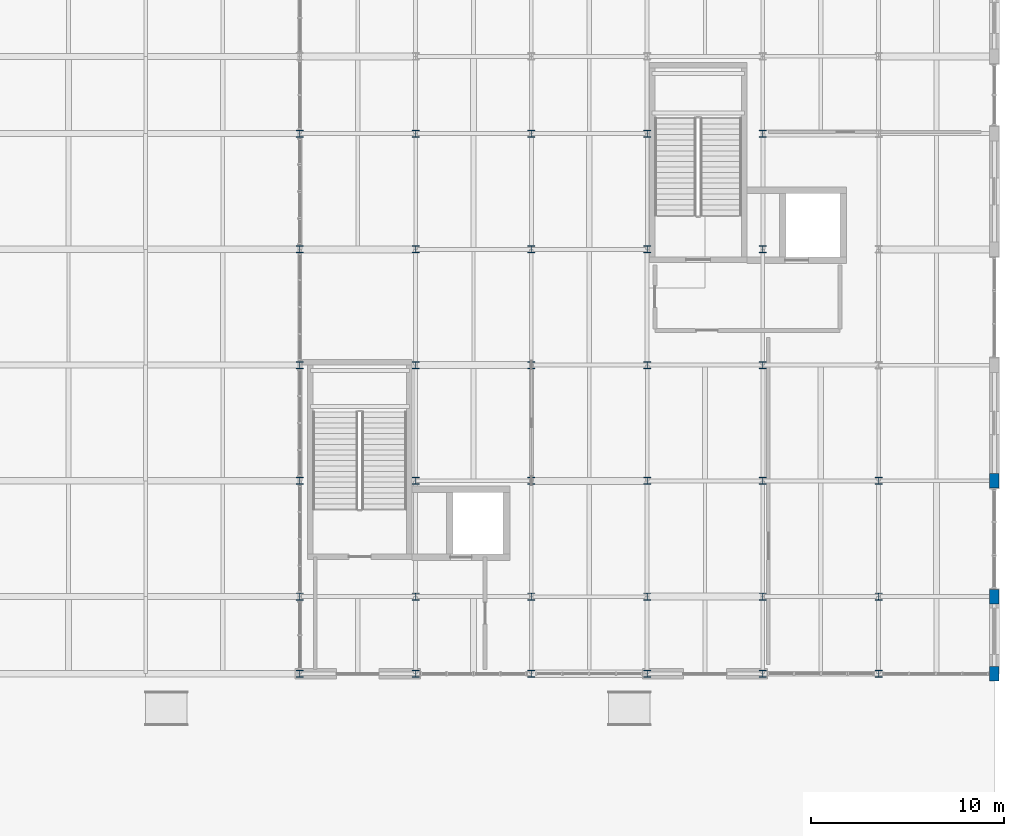
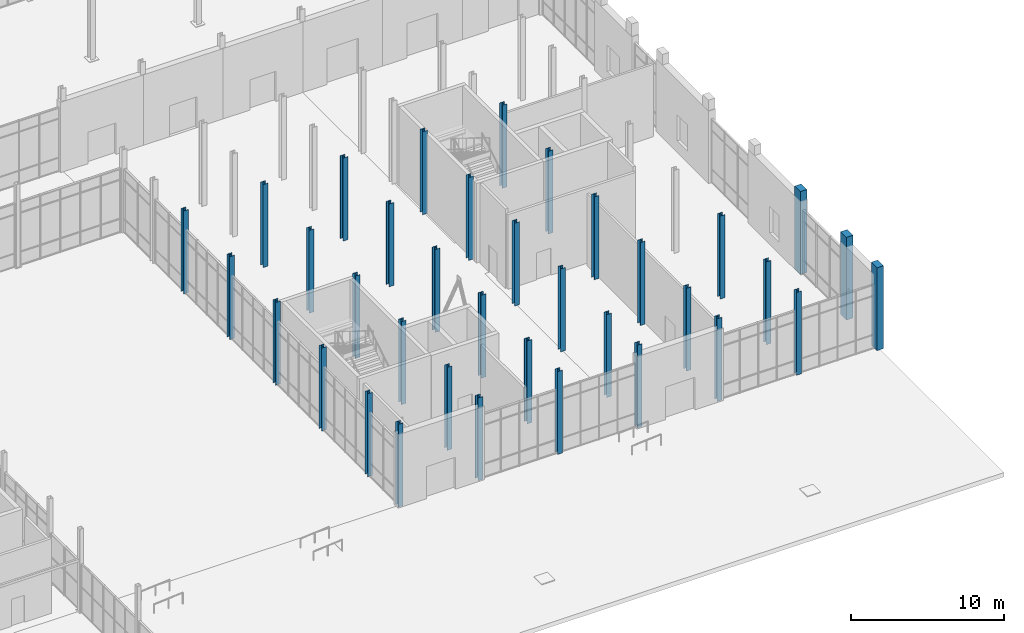
# One storey, part 17 of 140: 36 columns.
"""IFC4 building model written with IfcOpenShell, lengths in metres."""

from ifc_helpers import new_model, si_unit, direction, frame, origin, origin_2d, place, context, subcontext, project, spatial, rectangle, i_section, extrude, material, material_profile, profile_set, type_object, element, save


model = new_model("IFC4")

# Units and contexts
model_context = context("Model", 3, precision=1e-05, world=origin(), true_north=direction((0.0, 1.0)))
body_context = subcontext(model_context, "Body", "Model", "MODEL_VIEW")
ifc_project = project(units=[si_unit("LENGTHUNIT", "METRE"), si_unit("AREAUNIT", "SQUARE_METRE"), si_unit("VOLUMEUNIT", "CUBIC_METRE"), si_unit("PLANEANGLEUNIT", "RADIAN"), si_unit("MASSUNIT", "GRAM", prefix="KILO")], contexts=[model_context])

# Site, building, storey
site_placement = place(None, origin())
site = spatial("IfcSite", under=ifc_project, at=site_placement, CompositionType="ELEMENT")
building_placement = place(site_placement, origin())
building = spatial("IfcBuilding", under=site, at=building_placement, Name="Verrall Gate Interchange", CompositionType="ELEMENT")
storey_placement = place(building_placement, origin())
storey = spatial("IfcBuildingStorey", under=building, at=storey_placement, Name="L01", CompositionType="ELEMENT", Elevation=0.0)

# Columns
ifc_material_1 = material(Name="Concrete CSA A23.1 40 MPa (Class C-1)", Category="concrete")
ifc_material_profile_1 = material_profile(ifc_material_1, rectangle(XDim=0.5, YDim=0.75, at=origin_2d()), Name="RC500x750")
ifc_profile_set_1 = profile_set([ifc_material_profile_1], Name="Concrete CSA A23.1 40 MPa (Class C-1)")
column_type_1 = type_object("IfcColumnType", Name="C-05 Pilaster RC500x750", PredefinedType="PILASTER", material=ifc_profile_set_1)
for number, where, z_axis, x_axis, name in (
    (1, (168.0, 12.0, 0.0), (0.0, 0.0, 1.0), (1.0, 0.0, 0.0), "L01 Column COL-L01-1470 (C-05)"),
    (2, (168.0, 16.0, 0.0), (0.0, 0.0, 1.0), (1.0, 0.0, 0.0), "L01 Column COL-L01-1475 (C-05)"),
    (3, (168.0, 22.0, 0.0), (0.0, 0.0, 1.0), (1.0, 0.0, 0.0), "L01 Column COL-L01-1480 (C-05)"),
):
    element("IfcColumn", number, at=place(storey_placement, frame(where, z_axis=z_axis, x_axis=x_axis)), inside=storey, type_object=column_type_1, Name=name, PredefinedType="PILASTER", context=body_context, shape_type="SweptSolid", body=[
        extrude(rectangle(XDim=0.5, YDim=0.75, at=origin_2d()), origin(), (0.0, 0.0, 1.0), 6.60009765625),
    ])
ifc_material_2 = material(Name="Structural Steel CSA G40.21 350W", Category="steel")
ifc_material_profile_2 = material_profile(ifc_material_2, i_section(OverallWidth=0.368896484375, OverallDepth=0.35595703125, WebThickness=0.01123046875, FlangeThickness=0.01806640625, FilletRadius=0.014892578125, at=origin_2d()), Name="W360x134")
ifc_profile_set_2 = profile_set([ifc_material_profile_2], Name="Structural Steel CSA G40.21 350W")
column_type_2 = type_object("IfcColumnType", Name="C-08 Column W360x134", PredefinedType="COLUMN", material=ifc_profile_set_2)
for number, where, z_axis, x_axis, name in (
    (4, (132.0, 12.0, 0.0), (0.0, 0.0, 1.0), (1.0, 0.0, 0.0), "L01 Column COL-L01-1212 (C-08)"),
    (5, (132.0, 16.0, 0.0), (0.0, 0.0, 1.0), (1.0, 0.0, 0.0), "L01 Column COL-L01-1217 (C-08)"),
    (6, (132.0, 22.0, 0.0), (0.0, 0.0, 1.0), (1.0, 0.0, 0.0), "L01 Column COL-L01-1222 (C-08)"),
    (7, (132.0, 28.0, 0.0), (0.0, 0.0, 1.0), (1.0, 0.0, 0.0), "L01 Column COL-L01-1227 (C-08)"),
    (8, (132.0, 34.0, 0.0), (0.0, 0.0, 1.0), (1.0, 0.0, 0.0), "L01 Column COL-L01-1232 (C-08)"),
    (9, (132.0, 40.0, 0.0), (0.0, 0.0, 1.0), (1.0, 0.0, 0.0), "L01 Column COL-L01-1237 (C-08)"),
    (10, (138.0, 12.0, 0.0), (0.0, 0.0, 1.0), (1.0, 0.0, 0.0), "L01 Column COL-L01-1255 (C-08)"),
    (11, (138.0, 16.0, 0.0), (0.0, 0.0, 1.0), (1.0, 0.0, 0.0), "L01 Column COL-L01-1260 (C-08)"),
    (12, (138.0, 22.0, 0.0), (0.0, 0.0, 1.0), (1.0, 0.0, 0.0), "L01 Column COL-L01-1265 (C-08)"),
    (13, (138.0, 28.0, 0.0), (0.0, 0.0, 1.0), (1.0, 0.0, 0.0), "L01 Column COL-L01-1270 (C-08)"),
    (14, (138.0, 34.0, 0.0), (0.0, 0.0, 1.0), (1.0, 0.0, 0.0), "L01 Column COL-L01-1275 (C-08)"),
    (15, (138.0, 40.0, 0.0), (0.0, 0.0, 1.0), (1.0, 0.0, 0.0), "L01 Column COL-L01-1280 (C-08)"),
    (16, (144.0, 12.0, 0.0), (0.0, 0.0, 1.0), (1.0, 0.0, 0.0), "L01 Column COL-L01-1298 (C-08)"),
    (17, (144.0, 16.0, 0.0), (0.0, 0.0, 1.0), (1.0, 0.0, 0.0), "L01 Column COL-L01-1303 (C-08)"),
    (18, (144.0, 22.0, 0.0), (0.0, 0.0, 1.0), (1.0, 0.0, 0.0), "L01 Column COL-L01-1308 (C-08)"),
    (19, (144.0, 28.0, 0.0), (0.0, 0.0, 1.0), (1.0, 0.0, 0.0), "L01 Column COL-L01-1313 (C-08)"),
    (20, (144.0, 34.0, 0.0), (0.0, 0.0, 1.0), (1.0, 0.0, 0.0), "L01 Column COL-L01-1318 (C-08)"),
    (21, (144.0, 40.0, 0.0), (0.0, 0.0, 1.0), (1.0, 0.0, 0.0), "L01 Column COL-L01-1323 (C-08)"),
    (22, (150.0, 12.0, 0.0), (0.0, 0.0, 1.0), (1.0, 0.0, 0.0), "L01 Column COL-L01-1341 (C-08)"),
    (23, (150.0, 16.0, 0.0), (0.0, 0.0, 1.0), (1.0, 0.0, 0.0), "L01 Column COL-L01-1346 (C-08)"),
    (24, (150.0, 22.0, 0.0), (0.0, 0.0, 1.0), (1.0, 0.0, 0.0), "L01 Column COL-L01-1351 (C-08)"),
    (25, (150.0, 28.0, 0.0), (0.0, 0.0, 1.0), (1.0, 0.0, 0.0), "L01 Column COL-L01-1356 (C-08)"),
    (26, (150.0, 34.0, 0.0), (0.0, 0.0, 1.0), (1.0, 0.0, 0.0), "L01 Column COL-L01-1361 (C-08)"),
    (27, (150.0, 40.0, 0.0), (0.0, 0.0, 1.0), (1.0, 0.0, 0.0), "L01 Column COL-L01-1366 (C-08)"),
    (28, (156.0, 12.0, 0.0), (0.0, 0.0, 1.0), (1.0, 0.0, 0.0), "L01 Column COL-L01-1384 (C-08)"),
    (29, (156.0, 16.0, 0.0), (0.0, 0.0, 1.0), (1.0, 0.0, 0.0), "L01 Column COL-L01-1389 (C-08)"),
    (30, (156.0, 22.0, 0.0), (0.0, 0.0, 1.0), (1.0, 0.0, 0.0), "L01 Column COL-L01-1394 (C-08)"),
    (31, (156.0, 28.0, 0.0), (0.0, 0.0, 1.0), (1.0, 0.0, 0.0), "L01 Column COL-L01-1399 (C-08)"),
    (32, (156.0, 34.0, 0.0), (0.0, 0.0, 1.0), (1.0, 0.0, 0.0), "L01 Column COL-L01-1404 (C-08)"),
    (33, (156.0, 40.0, 0.0), (0.0, 0.0, 1.0), (1.0, 0.0, 0.0), "L01 Column COL-L01-1409 (C-08)"),
    (34, (162.0, 12.0, 0.0), (0.0, 0.0, 1.0), (1.0, 0.0, 0.0), "L01 Column COL-L01-1427 (C-08)"),
    (35, (162.0, 16.0, 0.0), (0.0, 0.0, 1.0), (1.0, 0.0, 0.0), "L01 Column COL-L01-1432 (C-08)"),
    (36, (162.0, 22.0, 0.0), (0.0, 0.0, 1.0), (1.0, 0.0, 0.0), "L01 Column COL-L01-1437 (C-08)"),
):
    element("IfcColumn", number, at=place(storey_placement, frame(where, z_axis=z_axis, x_axis=x_axis)), inside=storey, type_object=column_type_2, Name=name, PredefinedType="COLUMN", context=body_context, shape_type="SweptSolid", body=[
        extrude(i_section(OverallWidth=0.368896484375, OverallDepth=0.35595703125, WebThickness=0.01123046875, FlangeThickness=0.01806640625, FilletRadius=0.014892578125, at=origin_2d()), origin(), (0.0, 0.0, 1.0), 6.60009765625),
    ])

save(model, "model.ifc")
